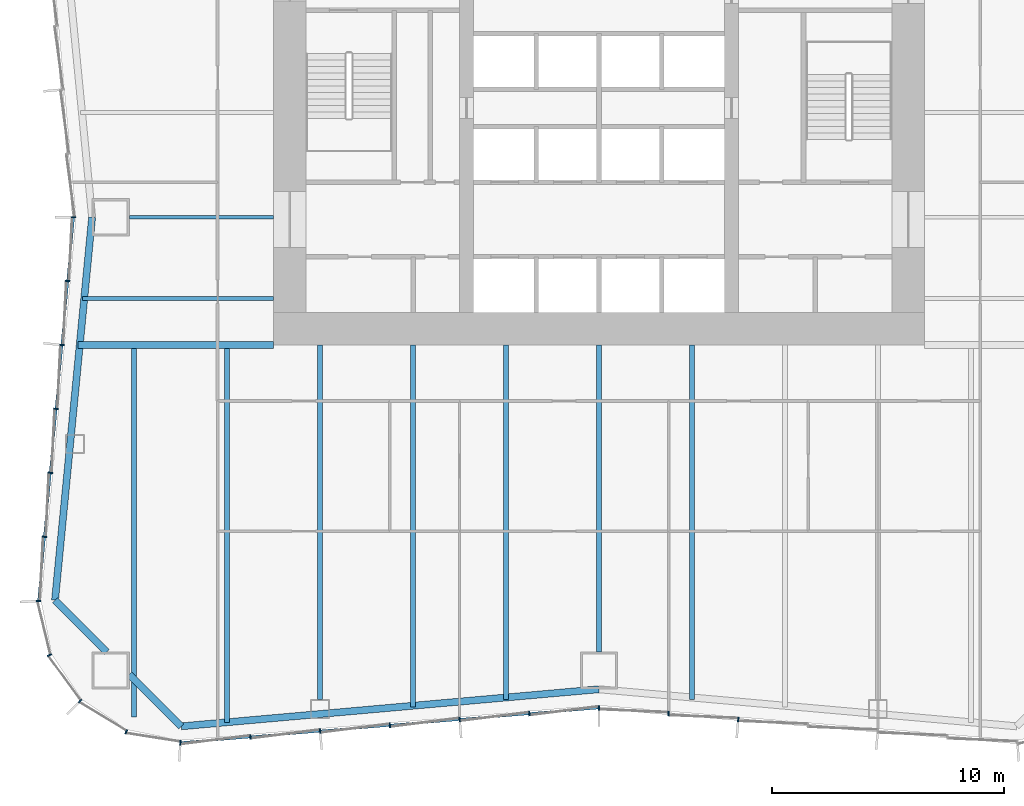
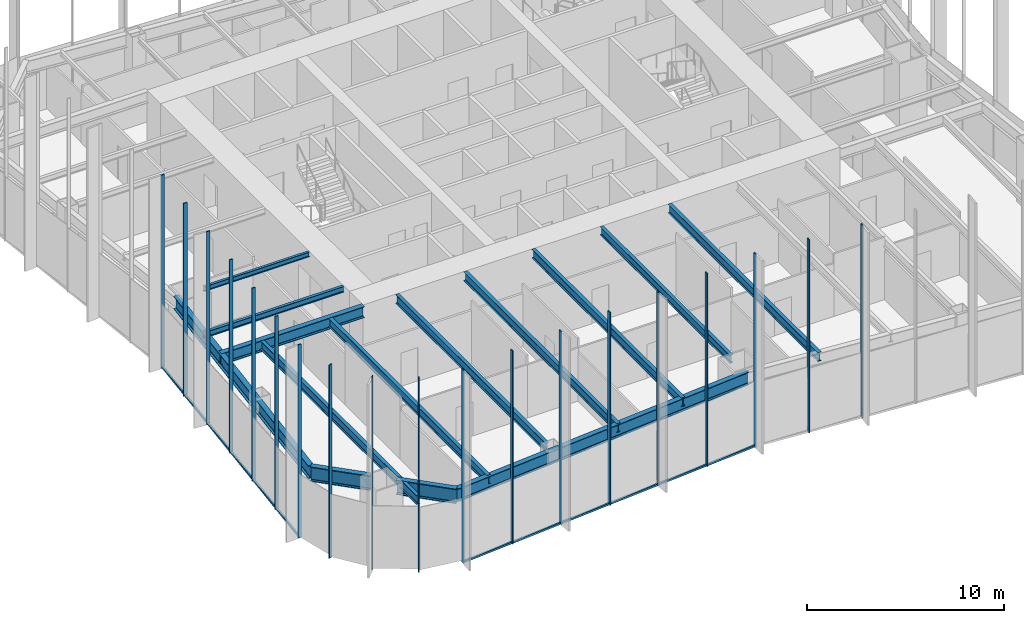
# One storey, part 2 of 13: 21 members, 14 beams, 3 elements without a shape of their own.
"""IFC4 building model written with IfcOpenShell, lengths in metres."""

from ifc_helpers import new_model, si_unit, direction, frame, origin, origin_2d, place, context, subcontext, project, spatial, rectangle, i_section, extrude, material, material_profile, profile_set, type_object, element, aggregate, save


model = new_model("IFC4")

# Units and contexts
model_context = context("Model", 3, precision=1e-05, world=origin(), true_north=direction((0.0, 1.0)))
body_context = subcontext(model_context, "Body", "Model", "MODEL_VIEW")
ifc_project = project(units=[si_unit("LENGTHUNIT", "METRE"), si_unit("AREAUNIT", "SQUARE_METRE"), si_unit("VOLUMEUNIT", "CUBIC_METRE"), si_unit("PLANEANGLEUNIT", "RADIAN"), si_unit("MASSUNIT", "GRAM", prefix="KILO")], contexts=[model_context])

# Site, building, storey
site_placement = place(None, origin())
site = spatial("IfcSite", under=ifc_project, at=site_placement, CompositionType="ELEMENT")
building_placement = place(site_placement, origin())
building = spatial("IfcBuilding", under=site, at=building_placement, Name="Verdant Reach Tower", CompositionType="ELEMENT")
storey_placement = place(building_placement, frame((0.0, 0.0, 38.0)))
storey = spatial("IfcBuildingStorey", under=building, at=storey_placement, Name="L08", CompositionType="ELEMENT", Elevation=38.0)

# Curtain wall, members
ifc_material_1 = material(Name="Anodised aluminium", Category="aluminium")
curtain_wall_type = type_object("IfcCurtainWallType", Name="EN-CW SYSTEM Z0", PredefinedType="NOTDEFINED", material=ifc_material_1)
curtain_wall_1_placement = place(storey_placement, origin())
curtain_wall_1 = element("IfcCurtainWall", 1, at=curtain_wall_1_placement, inside=storey, type_object=curtain_wall_type, Name="Curtain wall west, L08", PredefinedType="NOTDEFINED")
ifc_material_profile_1 = material_profile(ifc_material_1, rectangle(XDim=0.199951171875, YDim=0.06005859375, at=origin_2d()), Name="Mullion 60x200")
ifc_profile_set_1 = profile_set([ifc_material_profile_1], Name="Anodised aluminium")
member_type_1 = type_object("IfcMemberType", Name="EN-MULLION Z0", PredefinedType="MULLION", material=ifc_profile_set_1)
member_1_placement = place(storey_placement, frame((-22.60009765625, 22.5, -0.35009765625), z_axis=(0.0, 0.0, 1.0), x_axis=(-1.0, 0.0, 0.0)))
member_1 = element("IfcMember", 2, at=member_1_placement, type_object=member_type_1, Name="Mullion west face part 2 1, L08", PredefinedType="MULLION", context=body_context, shape_type="SweptSolid", body=[
    extrude(rectangle(XDim=0.199951171875, YDim=0.06005859375, at=origin_2d()), origin(), (0.0, 0.0, 1.0), 12.0),
])
member_2_placement = place(storey_placement, frame((-22.849609375, 19.759033203125, -0.35009765625), z_axis=(0.0, 0.0, 1.0), x_axis=(-0.995893206467, 0.090535746047, 0.0)))
member_2 = element("IfcMember", 3, at=member_2_placement, type_object=member_type_1, Name="Mullion west face part 2 2, L08", PredefinedType="MULLION", context=body_context, shape_type="SweptSolid", body=[
    extrude(rectangle(XDim=0.199951171875, YDim=0.06005859375, at=origin_2d()), origin(), (0.0, 0.0, 1.0), 12.0),
])
member_3_placement = place(storey_placement, frame((-23.099609375, 17.009033203125, -0.35009765625), z_axis=(0.0, 0.0, 1.0), x_axis=(-0.995893206467, 0.090535746047, 0.0)))
member_3 = element("IfcMember", 4, at=member_3_placement, type_object=member_type_1, Name="Mullion west face part 2 3, L08", PredefinedType="MULLION", context=body_context, shape_type="SweptSolid", body=[
    extrude(rectangle(XDim=0.199951171875, YDim=0.06005859375, at=origin_2d()), origin(), (0.0, 0.0, 1.0), 12.0),
])
member_4_placement = place(storey_placement, frame((-23.349609375, 14.259033203125, -0.35009765625), z_axis=(0.0, 0.0, 1.0), x_axis=(-0.995893206467, 0.090535746047, 0.0)))
member_4 = element("IfcMember", 5, at=member_4_placement, type_object=member_type_1, Name="Mullion west face part 2 4, L08", PredefinedType="MULLION", context=body_context, shape_type="SweptSolid", body=[
    extrude(rectangle(XDim=0.199951171875, YDim=0.06005859375, at=origin_2d()), origin(), (0.0, 0.0, 1.0), 12.0),
])
member_5_placement = place(storey_placement, frame((-23.599609375, 11.509033203125, -0.35009765625), z_axis=(0.0, 0.0, 1.0), x_axis=(-0.995893206467, 0.090535746047, 0.0)))
member_5 = element("IfcMember", 6, at=member_5_placement, type_object=member_type_1, Name="Mullion west face part 2 5, L08", PredefinedType="MULLION", context=body_context, shape_type="SweptSolid", body=[
    extrude(rectangle(XDim=0.199951171875, YDim=0.06005859375, at=origin_2d()), origin(), (0.0, 0.0, 1.0), 12.0),
])
member_6_placement = place(storey_placement, frame((-23.849609375, 8.759033203125, -0.35009765625), z_axis=(0.0, 0.0, 1.0), x_axis=(-0.995893206467, 0.090535746047, 0.0)))
member_6 = element("IfcMember", 7, at=member_6_placement, type_object=member_type_1, Name="Mullion west face part 2 6, L08", PredefinedType="MULLION", context=body_context, shape_type="SweptSolid", body=[
    extrude(rectangle(XDim=0.199951171875, YDim=0.06005859375, at=origin_2d()), origin(), (0.0, 0.0, 1.0), 12.0),
])

curtain_wall_2_placement = place(storey_placement, origin())
curtain_wall_2 = element("IfcCurtainWall", 8, at=curtain_wall_2_placement, inside=storey, type_object=curtain_wall_type, Name="Curtain wall south-west corner, L08", PredefinedType="NOTDEFINED")
member_7_placement = place(storey_placement, frame((-24.099853515625, 5.99462890625, -0.35009765625), z_axis=(0.0, 0.0, 1.0), x_axis=(-0.998604288049, -0.052815489107, 0.0)))
member_7 = element("IfcMember", 9, at=member_7_placement, type_object=member_type_1, Name="Mullion south-west corner 1, L08", PredefinedType="MULLION", context=body_context, shape_type="SweptSolid", body=[
    extrude(rectangle(XDim=0.199951171875, YDim=0.06005859375, at=origin_2d()), origin(), (0.0, 0.0, 1.0), 12.0),
])
member_8_placement = place(storey_placement, frame((-23.6357421875, 3.66552734375, -0.35009765625), z_axis=(0.0, 0.0, 1.0), x_axis=(-0.923875215753, -0.382693853776, 0.0)))
member_8 = element("IfcMember", 10, at=member_8_placement, type_object=member_type_1, Name="Mullion south-west corner 2, L08", PredefinedType="MULLION", context=body_context, shape_type="SweptSolid", body=[
    extrude(rectangle(XDim=0.199951171875, YDim=0.06005859375, at=origin_2d()), origin(), (0.0, 0.0, 1.0), 12.0),
])
member_9_placement = place(storey_placement, frame((-22.313232421875, 1.686767578125, -0.35009765625), z_axis=(0.0, 0.0, 1.0), x_axis=(-0.707106781187, -0.707106781187, 0.0)))
member_9 = element("IfcMember", 11, at=member_9_placement, type_object=member_type_1, Name="Mullion south-west corner 3, L08", PredefinedType="MULLION", context=body_context, shape_type="SweptSolid", body=[
    extrude(rectangle(XDim=0.199951171875, YDim=0.06005859375, at=origin_2d()), origin(), (0.0, 0.0, 1.0), 12.0),
])
member_10_placement = place(storey_placement, frame((-20.33447265625, 0.3642578125, -0.35009765625), z_axis=(0.0, 0.0, 1.0), x_axis=(-0.382693853776, -0.923875215753, 0.0)))
member_10 = element("IfcMember", 12, at=member_10_placement, type_object=member_type_1, Name="Mullion south-west corner 4, L08", PredefinedType="MULLION", context=body_context, shape_type="SweptSolid", body=[
    extrude(rectangle(XDim=0.199951171875, YDim=0.06005859375, at=origin_2d()), origin(), (0.0, 0.0, 1.0), 12.0),
])
aggregate(curtain_wall_2, [member_7, member_8, member_9, member_10])

curtain_wall_3_placement = place(storey_placement, origin())
curtain_wall_3 = element("IfcCurtainWall", 13, at=curtain_wall_3_placement, inside=storey, type_object=curtain_wall_type, Name="Curtain wall south, L08", PredefinedType="NOTDEFINED")
member_11_placement = place(storey_placement, frame((-18.005615234375, -0.099853515625, -0.35009765625), z_axis=(0.0, 0.0, 1.0), x_axis=(-0.056569187765, -0.998398681387, 0.0)))
member_11 = element("IfcMember", 14, at=member_11_placement, type_object=member_type_1, Name="Mullion south face part 1 1, L08", PredefinedType="MULLION", context=body_context, shape_type="SweptSolid", body=[
    extrude(rectangle(XDim=0.199951171875, YDim=0.06005859375, at=origin_2d()), origin(), (0.0, 0.0, 1.0), 12.0),
])
member_12_placement = place(storey_placement, frame((-14.99169921875, 0.150390625, -0.35009765625), z_axis=(0.0, 0.0, 1.0), x_axis=(0.083045479859, -0.996545758244, 0.0)))
member_12 = element("IfcMember", 15, at=member_12_placement, type_object=member_type_1, Name="Mullion south face part 1 2, L08", PredefinedType="MULLION", context=body_context, shape_type="SweptSolid", body=[
    extrude(rectangle(XDim=0.199951171875, YDim=0.06005859375, at=origin_2d()), origin(), (0.0, 0.0, 1.0), 12.0),
])
member_13_placement = place(storey_placement, frame((-11.99169921875, 0.400390625, -0.35009765625), z_axis=(0.0, 0.0, 1.0), x_axis=(0.083045479859, -0.996545758244, 0.0)))
member_13 = element("IfcMember", 16, at=member_13_placement, type_object=member_type_1, Name="Mullion south face part 1 3, L08", PredefinedType="MULLION", context=body_context, shape_type="SweptSolid", body=[
    extrude(rectangle(XDim=0.199951171875, YDim=0.06005859375, at=origin_2d()), origin(), (0.0, 0.0, 1.0), 12.0),
])
member_14_placement = place(storey_placement, frame((-8.99169921875, 0.650390625, -0.35009765625), z_axis=(0.0, 0.0, 1.0), x_axis=(0.083045479859, -0.996545758244, 0.0)))
member_14 = element("IfcMember", 17, at=member_14_placement, type_object=member_type_1, Name="Mullion south face part 1 4, L08", PredefinedType="MULLION", context=body_context, shape_type="SweptSolid", body=[
    extrude(rectangle(XDim=0.199951171875, YDim=0.06005859375, at=origin_2d()), origin(), (0.0, 0.0, 1.0), 12.0),
])
member_15_placement = place(storey_placement, frame((-5.99169921875, 0.900390625, -0.35009765625), z_axis=(0.0, 0.0, 1.0), x_axis=(0.083045479859, -0.996545758244, 0.0)))
member_15 = element("IfcMember", 18, at=member_15_placement, type_object=member_type_1, Name="Mullion south face part 1 5, L08", PredefinedType="MULLION", context=body_context, shape_type="SweptSolid", body=[
    extrude(rectangle(XDim=0.199951171875, YDim=0.06005859375, at=origin_2d()), origin(), (0.0, 0.0, 1.0), 12.0),
])
member_16_placement = place(storey_placement, frame((-2.99169921875, 1.150390625, -0.35009765625), z_axis=(0.0, 0.0, 1.0), x_axis=(0.083045479859, -0.996545758244, 0.0)))
member_16 = element("IfcMember", 19, at=member_16_placement, type_object=member_type_1, Name="Mullion south face part 1 6, L08", PredefinedType="MULLION", context=body_context, shape_type="SweptSolid", body=[
    extrude(rectangle(XDim=0.199951171875, YDim=0.06005859375, at=origin_2d()), origin(), (0.0, 0.0, 1.0), 12.0),
])
member_17_placement = place(storey_placement, frame((0.0, 1.39990234375, -0.35009765625), z_axis=(0.0, 0.0, 1.0), x_axis=(0.0, -1.0, 0.0)))
member_17 = element("IfcMember", 20, at=member_17_placement, type_object=member_type_1, Name="Mullion south face part 2 1, L08", PredefinedType="MULLION", context=body_context, shape_type="SweptSolid", body=[
    extrude(rectangle(XDim=0.199951171875, YDim=0.06005859375, at=origin_2d()), origin(), (0.0, 0.0, 1.0), 12.0),
])
member_18_placement = place(storey_placement, frame((2.99169921875, 1.150390625, -0.35009765625), z_axis=(0.0, 0.0, 1.0), x_axis=(-0.083045479859, -0.996545758244, 0.0)))
member_18 = element("IfcMember", 21, at=member_18_placement, type_object=member_type_1, Name="Mullion south face part 2 2, L08", PredefinedType="MULLION", context=body_context, shape_type="SweptSolid", body=[
    extrude(rectangle(XDim=0.199951171875, YDim=0.06005859375, at=origin_2d()), origin(), (0.0, 0.0, 1.0), 12.0),
])
member_19_placement = place(storey_placement, frame((5.99169921875, 0.900390625, -0.35009765625), z_axis=(0.0, 0.0, 1.0), x_axis=(-0.083045479859, -0.996545758244, 0.0)))
member_19 = element("IfcMember", 22, at=member_19_placement, type_object=member_type_1, Name="Mullion south face part 2 3, L08", PredefinedType="MULLION", context=body_context, shape_type="SweptSolid", body=[
    extrude(rectangle(XDim=0.199951171875, YDim=0.06005859375, at=origin_2d()), origin(), (0.0, 0.0, 1.0), 12.0),
])

# Member
ifc_material_profile_2 = material_profile(ifc_material_1, rectangle(XDim=0.10009765625, YDim=0.1201171875, at=origin_2d()), Name="Transom 120x100")
ifc_profile_set_2 = profile_set([ifc_material_profile_2], Name="Anodised aluminium")
member_type_2 = type_object("IfcMemberType", Name="EN-TRANSOM Z0", PredefinedType="USERDEFINED", material=ifc_profile_set_2)
member_20_placement = place(storey_placement, frame((-22.602783203125, 22.47021484375, -0.2900390625), z_axis=(-0.090495755184, -0.995896841191, 0.0), x_axis=(0.995896841191, -0.090495755184, 0.0)))
member_20 = element("IfcMember", 23, at=member_20_placement, type_object=member_type_2, Name="Transom west face part 2 1.1, L08", ObjectType="TRANSOM", PredefinedType="USERDEFINED", context=body_context, shape_type="SweptSolid", body=[
    extrude(rectangle(XDim=0.10009765625, YDim=0.1201171875, at=origin_2d()), origin(), (0.0, 0.0, 1.0), 16.513427734375),
])

aggregate(curtain_wall_1, [member_1, member_2, member_3, member_4, member_5, member_6, member_20])

member_21_placement = place(storey_placement, frame((-17.975830078125, -0.097412109375, -0.2900390625), z_axis=(0.996548656072, 0.083010698588, 0.0), x_axis=(-0.083010698588, 0.996548656072, 0.0)))
member_21 = element("IfcMember", 24, at=member_21_placement, type_object=member_type_2, Name="Transom south face part 1 1.1, L08", ObjectType="TRANSOM", PredefinedType="USERDEFINED", context=body_context, shape_type="SweptSolid", body=[
    extrude(rectangle(XDim=0.10009765625, YDim=0.1201171875, at=origin_2d()), origin(), (0.0, 0.0, 1.0), 18.00830078125),
])

aggregate(curtain_wall_3, [member_11, member_12, member_13, member_14, member_15, member_16, member_21, member_17, member_18, member_19])

# Beams
ifc_material_2 = material(Name="Steel S355", Category="steel")
ifc_material_profile_3 = material_profile(ifc_material_2, i_section(OverallWidth=0.300048828125, OverallDepth=0.699951171875, WebThickness=0.01708984375, FlangeThickness=0.031982421875, FilletRadius=0.027099609375, at=origin_2d()), Name="HEB 700")
ifc_profile_set_3 = profile_set([ifc_material_profile_3], Name="Steel S355")
beam_type_1 = type_object("IfcBeamType", Name="ST-BEAM-HEB700", PredefinedType="BEAM", material=ifc_profile_set_3)
beam_1_placement = place(storey_placement, frame((-14.0, 17.0, 3.52001953125), z_axis=(-1.0, 0.0, 0.0), x_axis=(0.0, -1.0, 0.0)))
element("IfcBeam", 25, at=beam_1_placement, inside=storey, type_object=beam_type_1, Name="Trimmer beam, L08", PredefinedType="BEAM", context=body_context, shape_type="SweptSolid", body=[
    extrude(i_section(OverallWidth=0.300048828125, OverallDepth=0.699951171875, WebThickness=0.01708984375, FlangeThickness=0.031982421875, FilletRadius=0.027099609375, at=origin_2d()), origin(), (0.0, 0.0, 1.0), 8.3974609375),
])
ifc_material_profile_4 = material_profile(ifc_material_2, i_section(OverallWidth=0.14990234375, OverallDepth=0.300048828125, WebThickness=0.007080078125, FlangeThickness=0.0107421875, FilletRadius=0.014892578125, at=origin_2d()), Name="IPE 300")
ifc_profile_set_4 = profile_set([ifc_material_profile_4], Name="Steel S355")
beam_type_2 = type_object("IfcBeamType", Name="ST-JOIST-IPE300", PredefinedType="JOIST", material=ifc_profile_set_4)
beam_2_placement = place(storey_placement, frame((-14.0, 22.5, 3.719970703125), z_axis=(-1.0, 0.0, 0.0), x_axis=(0.0, -1.0, 0.0)))
element("IfcBeam", 26, at=beam_2_placement, inside=storey, type_object=beam_type_2, Name="Floor joist, L08", PredefinedType="JOIST", context=body_context, shape_type="SweptSolid", body=[
    extrude(i_section(OverallWidth=0.14990234375, OverallDepth=0.300048828125, WebThickness=0.007080078125, FlangeThickness=0.0107421875, FilletRadius=0.014892578125, at=origin_2d()), origin(), (0.0, 0.0, 1.0), 6.199951171875),
])
ifc_material_profile_5 = material_profile(ifc_material_2, i_section(OverallWidth=0.169921875, OverallDepth=0.360107421875, WebThickness=0.008056640625, FlangeThickness=0.0126953125, FilletRadius=0.01806640625, at=origin_2d()), Name="IPE 360")
ifc_profile_set_5 = profile_set([ifc_material_profile_5], Name="Steel S355")
beam_type_3 = type_object("IfcBeamType", Name="ST-JOIST-IPE360", PredefinedType="JOIST", material=ifc_profile_set_5)
beam_3_placement = place(storey_placement, frame((-14.0, 19.0, 3.68994140625), z_axis=(-1.0, 0.0, 0.0), x_axis=(0.0, -1.0, 0.0)))
element("IfcBeam", 27, at=beam_3_placement, inside=storey, type_object=beam_type_3, Name="Floor joist, L08", PredefinedType="JOIST", context=body_context, shape_type="SweptSolid", body=[
    extrude(i_section(OverallWidth=0.169921875, OverallDepth=0.360107421875, WebThickness=0.008056640625, FlangeThickness=0.0126953125, FilletRadius=0.01806640625, at=origin_2d()), origin(), (0.0, 0.0, 1.0), 8.2158203125),
])
ifc_material_profile_6 = material_profile(ifc_material_2, i_section(OverallWidth=0.199951171875, OverallDepth=0.5, WebThickness=0.01025390625, FlangeThickness=0.01611328125, FilletRadius=0.02099609375, at=origin_2d()), Name="IPE 500")
ifc_profile_set_6 = profile_set([ifc_material_profile_6], Name="Steel S355")
beam_type_4 = type_object("IfcBeamType", Name="ST-JOIST-IPE500", PredefinedType="JOIST", material=ifc_profile_set_6)
beam_4_placement = place(storey_placement, frame((0.0, 17.0, 3.6201171875), z_axis=(0.0, -1.0, 0.0), x_axis=(1.0, 0.0, 0.0)))
element("IfcBeam", 28, at=beam_4_placement, inside=storey, type_object=beam_type_4, Name="Floor joist, L08", PredefinedType="JOIST", context=body_context, shape_type="SweptSolid", body=[
    extrude(i_section(OverallWidth=0.199951171875, OverallDepth=0.5, WebThickness=0.01025390625, FlangeThickness=0.01611328125, FilletRadius=0.02099609375, at=origin_2d()), origin(), (0.0, 0.0, 1.0), 13.199951171875),
])
ifc_material_profile_7 = material_profile(ifc_material_2, i_section(OverallWidth=0.2099609375, OverallDepth=0.550048828125, WebThickness=0.010986328125, FlangeThickness=0.01708984375, FilletRadius=0.02392578125, at=origin_2d()), Name="IPE 550")
ifc_profile_set_7 = profile_set([ifc_material_profile_7], Name="Steel S355")
beam_type_5 = type_object("IfcBeamType", Name="ST-JOIST-IPE550", PredefinedType="JOIST", material=ifc_profile_set_7)
beam_5_placement = place(storey_placement, frame((-20.0, 16.89990234375, 3.594970703125), z_axis=(0.0, -1.0, 0.0), x_axis=(1.0, 0.0, 0.0)))
element("IfcBeam", 29, at=beam_5_placement, inside=storey, type_object=beam_type_5, Name="Floor joist, L08", PredefinedType="JOIST", context=body_context, shape_type="SweptSolid", body=[
    extrude(i_section(OverallWidth=0.2099609375, OverallDepth=0.550048828125, WebThickness=0.010986328125, FlangeThickness=0.01708984375, FilletRadius=0.02392578125, at=origin_2d()), origin(), (0.0, 0.0, 1.0), 15.890380859375),
])
beam_6_placement = place(storey_placement, frame((-16.0, 16.89990234375, 3.594970703125), z_axis=(0.0, -1.0, 0.0), x_axis=(1.0, 0.0, 0.0)))
element("IfcBeam", 30, at=beam_6_placement, inside=storey, type_object=beam_type_5, Name="Floor joist, L08", PredefinedType="JOIST", context=body_context, shape_type="SweptSolid", body=[
    extrude(i_section(OverallWidth=0.2099609375, OverallDepth=0.550048828125, WebThickness=0.010986328125, FlangeThickness=0.01708984375, FilletRadius=0.02392578125, at=origin_2d()), origin(), (0.0, 0.0, 1.0), 16.131103515625),
])
beam_7_placement = place(storey_placement, frame((-12.0, 17.0, 3.594970703125), z_axis=(0.0, -1.0, 0.0), x_axis=(1.0, 0.0, 0.0)))
element("IfcBeam", 31, at=beam_7_placement, inside=storey, type_object=beam_type_5, Name="Floor joist, L08", PredefinedType="JOIST", context=body_context, shape_type="SweptSolid", body=[
    extrude(i_section(OverallWidth=0.2099609375, OverallDepth=0.550048828125, WebThickness=0.010986328125, FlangeThickness=0.01708984375, FilletRadius=0.02392578125, at=origin_2d()), origin(), (0.0, 0.0, 1.0), 15.25),
])
beam_8_placement = place(storey_placement, frame((-8.0, 17.0, 3.594970703125), z_axis=(0.0, -1.0, 0.0), x_axis=(1.0, 0.0, 0.0)))
element("IfcBeam", 32, at=beam_8_placement, inside=storey, type_object=beam_type_5, Name="Floor joist, L08", PredefinedType="JOIST", context=body_context, shape_type="SweptSolid", body=[
    extrude(i_section(OverallWidth=0.2099609375, OverallDepth=0.550048828125, WebThickness=0.010986328125, FlangeThickness=0.01708984375, FilletRadius=0.02392578125, at=origin_2d()), origin(), (0.0, 0.0, 1.0), 15.564697265625),
])
for number, where, z_axis, x_axis, name in (
    (33, (-4.0, 17.0, 3.594970703125), (0.0, -1.0, 0.0), (1.0, 0.0, 0.0), "Floor joist, L08"),
    (34, (4.0, 17.0, 3.594970703125), (0.0, -1.0, 0.0), (1.0, 0.0, 0.0), "Floor joist, L08"),
):
    element("IfcBeam", number, at=place(storey_placement, frame(where, z_axis=z_axis, x_axis=x_axis)), inside=storey, type_object=beam_type_5, Name=name, PredefinedType="JOIST", context=body_context, shape_type="SweptSolid", body=[
        extrude(i_section(OverallWidth=0.2099609375, OverallDepth=0.550048828125, WebThickness=0.010986328125, FlangeThickness=0.01708984375, FilletRadius=0.02392578125, at=origin_2d()), origin(), (0.0, 0.0, 1.0), 15.231201171875),
    ])
ifc_material_profile_8 = material_profile(ifc_material_2, i_section(OverallWidth=0.300048828125, OverallDepth=0.800048828125, WebThickness=0.017578125, FlangeThickness=0.032958984375, FilletRadius=0.030029296875, at=origin_2d()), Name="HEB 800")
ifc_profile_set_8 = profile_set([ifc_material_profile_8], Name="Steel S355")
beam_type_6 = type_object("IfcBeamType", Name="ST-SPANDREL-HEB800", PredefinedType="SPANDREL", material=ifc_profile_set_8)
beam_9_placement = place(storey_placement, frame((0.0, 2.199951171875, 3.469970703125), z_axis=(-0.996082370463, -0.088430262084, 0.0), x_axis=(0.088430262084, -0.996082370463, 0.0)))
element("IfcBeam", 35, at=beam_9_placement, inside=storey, type_object=beam_type_6, Name="Edge beam, L08", PredefinedType="SPANDREL", context=body_context, shape_type="SweptSolid", body=[
    extrude(i_section(OverallWidth=0.300048828125, OverallDepth=0.800048828125, WebThickness=0.017578125, FlangeThickness=0.032958984375, FilletRadius=0.030029296875, at=origin_2d()), origin(), (0.0, 0.0, 1.0), 18.036376953125),
])
beam_10_placement = place(storey_placement, frame((-23.39453125, 6.031982421875, 3.469970703125), z_axis=(0.096372296695, 0.995345357366, 0.0), x_axis=(-0.995345357366, 0.096372296695, 0.0)))
element("IfcBeam", 36, at=beam_10_placement, inside=storey, type_object=beam_type_6, Name="Edge beam, L08", PredefinedType="SPANDREL", context=body_context, shape_type="SweptSolid", body=[
    extrude(i_section(OverallWidth=0.300048828125, OverallDepth=0.800048828125, WebThickness=0.017578125, FlangeThickness=0.032958984375, FilletRadius=0.030029296875, at=origin_2d()), origin(), (0.0, 0.0, 1.0), 16.544921875),
])
ifc_material_profile_9 = material_profile(ifc_material_2, i_section(OverallWidth=0.302001953125, OverallDepth=0.909912109375, WebThickness=0.02099609375, FlangeThickness=0.0400390625, FilletRadius=0.030029296875, at=origin_2d()), Name="HEM 900")
ifc_profile_set_9 = profile_set([ifc_material_profile_9], Name="Steel S355")
beam_type_7 = type_object("IfcBeamType", Name="ST-SPANDREL-HEM900", PredefinedType="SPANDREL", material=ifc_profile_set_9)
beam_11_placement = place(storey_placement, frame((-17.9658203125, 0.60498046875, 3.4150390625), z_axis=(-0.707222697162, 0.706990846206, 0.0), x_axis=(-0.706990846206, -0.707222697162, 0.0)))
element("IfcBeam", 37, at=beam_11_placement, inside=storey, type_object=beam_type_7, Name="Edge beam, L08", PredefinedType="SPANDREL", context=body_context, shape_type="SweptSolid", body=[
    extrude(i_section(OverallWidth=0.302001953125, OverallDepth=0.909912109375, WebThickness=0.02099609375, FlangeThickness=0.0400390625, FilletRadius=0.030029296875, at=origin_2d()), origin(), (0.0, 0.0, 1.0), 3.158935546875),
])
beam_12_placement = place(storey_placement, frame((-21.161865234375, 3.800048828125, 3.4150390625), z_axis=(-0.70722277322, 0.706990770123, 0.0), x_axis=(-0.706990770123, -0.70722277322, 0.0)))
element("IfcBeam", 38, at=beam_12_placement, inside=storey, type_object=beam_type_7, Name="Edge beam, L08", PredefinedType="SPANDREL", context=body_context, shape_type="SweptSolid", body=[
    extrude(i_section(OverallWidth=0.302001953125, OverallDepth=0.909912109375, WebThickness=0.02099609375, FlangeThickness=0.0400390625, FilletRadius=0.030029296875, at=origin_2d()), origin(), (0.0, 0.0, 1.0), 3.156982421875),
])

save(model, "model.ifc")
